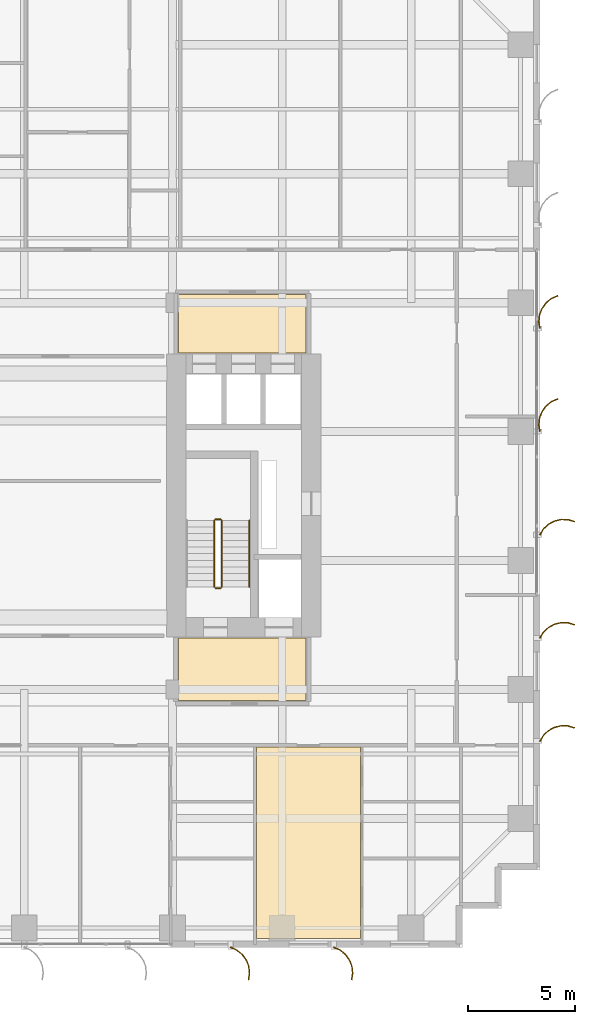
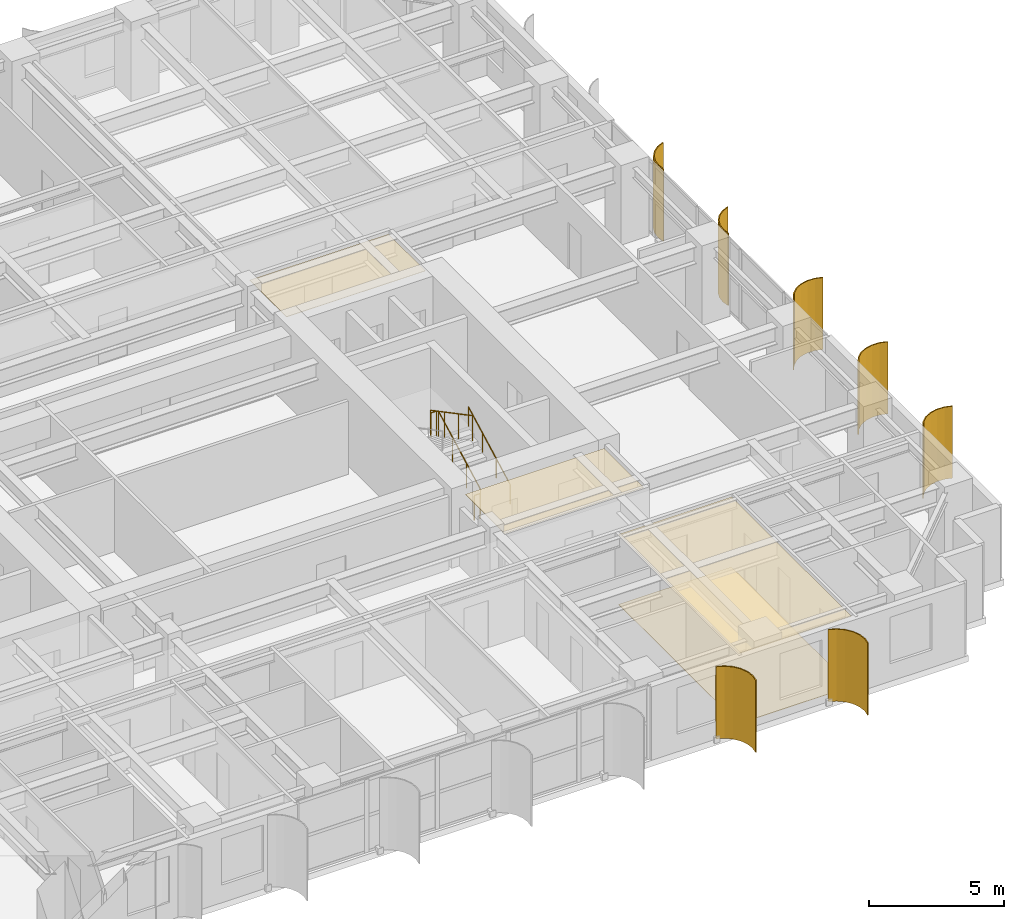
# One storey, part 22 of 23: 7 shading devices, 5 railings, 4 coverings.
"""IFC4 building model written with IfcOpenShell, lengths in metres."""

from ifc_helpers import new_model, si_unit, direction, frame, origin, origin_2d, place, context, subcontext, project, spatial, polyline, circle, outline, extrude, source, transform, mapped, material, layer, layer_set, type_object, element, save


model = new_model("IFC4")

# Units and contexts
model_context = context("Model", 3, precision=1e-05, world=origin(), true_north=direction((0.0, 1.0)))
body_context = subcontext(model_context, "Body", "Model", "MODEL_VIEW")
ifc_project = project(units=[si_unit("LENGTHUNIT", "METRE"), si_unit("AREAUNIT", "SQUARE_METRE"), si_unit("VOLUMEUNIT", "CUBIC_METRE"), si_unit("PLANEANGLEUNIT", "RADIAN"), si_unit("MASSUNIT", "GRAM", prefix="KILO")], contexts=[model_context])

# Site, building, storey
site_placement = place(None, origin())
site = spatial("IfcSite", under=ifc_project, at=site_placement, CompositionType="ELEMENT")
building_placement = place(site_placement, origin())
building = spatial("IfcBuilding", under=site, at=building_placement, Name="Khoralis Quay Care Tower", CompositionType="ELEMENT")
storey_placement = place(building_placement, frame((0.0, 0.0, 33.300048828125)))
storey = spatial("IfcBuildingStorey", under=building, at=storey_placement, Name="L08", CompositionType="ELEMENT", Elevation=33.300048828125)

# Coverings
ifc_material_1 = material(Name="Mineral-fibre acoustic ceiling tile")
ifc_layer_1 = layer(ifc_material_1, 0.01806640625)
ifc_layer_set_1 = layer_set([ifc_layer_1], Name="Mineral-fibre acoustic ceiling tile")
covering_type_1 = type_object("IfcCoveringType", Name="COV-CEIL-AC18", PredefinedType="CEILING", material=ifc_layer_set_1)
covering_1_placement = place(storey_placement, frame((0.0, 0.0, 3.171875)))
element("IfcCovering", 1, at=covering_1_placement, inside=storey, type_object=covering_type_1, Name="Suspended Acoustic Ceiling SP-L08-FFLOB-E", PredefinedType="CEILING", context=body_context, shape_type="SweptSolid", body=[
    extrude(outline(polyline([(31.179931640625, 11.47998046875), (37.1201171875, 11.47998046875), (37.1201171875, 14.39990234375), (31.179931640625, 14.39990234375), (31.179931640625, 11.47998046875)])), origin(), (0.0, 0.0, 1.0), 0.01806640625),
])
covering_2_placement = place(storey_placement, frame((0.0, 0.0, 3.171875)))
element("IfcCovering", 2, at=covering_2_placement, inside=storey, type_object=covering_type_1, Name="Suspended Acoustic Ceiling SP-L08-LLOB-E", PredefinedType="CEILING", context=body_context, shape_type="SweptSolid", body=[
    extrude(outline(polyline([(31.179931640625, 27.64990234375), (37.1201171875, 27.64990234375), (37.1201171875, 30.389892578125), (31.179931640625, 30.389892578125), (31.179931640625, 27.64990234375)])), origin(), (0.0, 0.0, 1.0), 0.01806640625),
])
covering_3_placement = place(storey_placement, frame((0.0, 0.0, 3.171875)))
element("IfcCovering", 3, at=covering_3_placement, inside=storey, type_object=covering_type_1, Name="Suspended Acoustic Ceiling SP-L08-SB-LIV4", PredefinedType="CEILING", context=body_context, shape_type="SweptSolid", body=[
    extrude(outline(polyline([(34.81005859375, 0.419921875), (39.636962890625, 0.419921875), (39.636962890625, 9.320068359375), (34.81005859375, 9.320068359375), (34.81005859375, 0.419921875)])), origin(), (0.0, 0.0, 1.0), 0.01806640625),
])
ifc_material_2 = material(Name="Porcelain and non-slip vinyl flooring")
ifc_layer_2 = layer(ifc_material_2, 0.02001953125)
ifc_layer_set_2 = layer_set([ifc_layer_2], Name="Porcelain and non-slip vinyl flooring")
covering_type_2 = type_object("IfcCoveringType", Name="COV-FLOOR-20", PredefinedType="FLOORING", material=ifc_layer_set_2)
covering_4_placement = place(storey_placement, origin())
element("IfcCovering", 4, at=covering_4_placement, inside=storey, type_object=covering_type_2, Name="Resilient Healthcare Flooring SP-L08-SB-LIV4", PredefinedType="FLOORING", context=body_context, shape_type="SweptSolid", body=[
    extrude(outline(polyline([(34.81005859375, 0.419921875), (39.636962890625, 0.419921875), (39.636962890625, 9.320068359375), (34.81005859375, 9.320068359375), (34.81005859375, 0.419921875)])), origin(), (0.0, 0.0, 1.0), 0.02001953125),
])

# Railings
ifc_material_3 = material(Name="Brushed stainless steel", Category="steel")
railing_type_1 = type_object("IfcRailingType", Name="RL-GUARD-1150", PredefinedType="GUARDRAIL", material=ifc_material_3)
railing_1_placement = place(storey_placement, frame((33.18994140625, 16.77001953125, 0.16357421875)))
element("IfcRailing", 5, at=railing_1_placement, inside=storey, type_object=railing_type_1, Name="L08 ST-T2 stair guard 1", PredefinedType="GUARDRAIL", context=body_context, shape_type="SweptSolid", body=[
    extrude(circle(Radius=0.02392578125, at=origin_2d()), frame((0.0, 0.0, 1.1259765625), z_axis=(0.0, 0.884348015382, 0.466828220752), x_axis=(-1.0, 0.0, 0.0)), (0.0, 0.0, 1.0), 3.505615234375),
    extrude(circle(Radius=0.02099609375, at=origin_2d()), origin(), (0.0, 0.0, 1.0), 1.101806640625),
    extrude(circle(Radius=0.02099609375, at=origin_2d()), frame((0.0, 1.033447265625, 0.54541015625)), (0.0, 0.0, 1.0), 1.101806640625),
    extrude(circle(Radius=0.02099609375, at=origin_2d()), frame((0.0, 2.066650390625, 1.091064453125)), (0.0, 0.0, 1.0), 1.101806640625),
    extrude(circle(Radius=0.02099609375, at=origin_2d()), frame((0.0, 3.10009765625, 1.636474609375)), (0.0, 0.0, 1.0), 1.101806640625),
])
railing_2_placement = place(storey_placement, frame((33.139892578125, 19.919921875, 1.800048828125)))
element("IfcRailing", 6, at=railing_2_placement, inside=storey, type_object=railing_type_1, Name="L08 ST-T2 stair guard 2", PredefinedType="GUARDRAIL", context=body_context, shape_type="SweptSolid", body=[
    extrude(circle(Radius=0.02392578125, at=origin_2d()), frame((0.0, 0.0, 1.1259765625), z_axis=(-1.0, 0.0, 0.0), x_axis=(0.0, -1.0, 0.0)), (0.0, 0.0, 1.0), 0.239990234375),
    extrude(circle(Radius=0.02099609375, at=origin_2d()), origin(), (0.0, 0.0, 1.0), 1.101806640625),
    extrude(circle(Radius=0.02099609375, at=origin_2d()), frame((-0.239990234375, 0.0, 0.0)), (0.0, 0.0, 1.0), 1.101806640625),
])
railing_3_placement = place(storey_placement, frame((32.85009765625, 19.8701171875, 1.963623046875)))
element("IfcRailing", 7, at=railing_3_placement, inside=storey, type_object=railing_type_1, Name="L08 ST-T2 stair guard 3", PredefinedType="GUARDRAIL", context=body_context, shape_type="SweptSolid", body=[
    extrude(circle(Radius=0.02392578125, at=origin_2d()), frame((0.0, 0.0, 1.1259765625), z_axis=(0.0, -0.884376766648, 0.46677375099), x_axis=(1.0, 0.0, 0.0)), (0.0, 0.0, 1.0), 3.50537109375),
    extrude(circle(Radius=0.02099609375, at=origin_2d()), origin(), (0.0, 0.0, 1.0), 1.101806640625),
    extrude(circle(Radius=0.02099609375, at=origin_2d()), frame((0.0, -1.033447265625, 0.54541015625)), (0.0, 0.0, 1.0), 1.101806640625),
    extrude(circle(Radius=0.02099609375, at=origin_2d()), frame((0.0, -2.066650390625, 1.0908203125)), (0.0, 0.0, 1.0), 1.101806640625),
    extrude(circle(Radius=0.02099609375, at=origin_2d()), frame((0.0, -3.10009765625, 1.63623046875)), (0.0, 0.0, 1.0), 1.101806640625),
])
railing_4_placement = place(storey_placement, frame((33.139892578125, 16.719970703125, 0.0)))
element("IfcRailing", 8, at=railing_4_placement, inside=storey, type_object=railing_type_1, Name="L08 ST-T2 stair guard 4", PredefinedType="GUARDRAIL", context=body_context, shape_type="SweptSolid", body=[
    extrude(circle(Radius=0.02392578125, at=origin_2d()), frame((0.0, 0.0, 1.1259765625), z_axis=(-1.0, 0.0, 0.0), x_axis=(0.0, -1.0, 0.0)), (0.0, 0.0, 1.0), 0.239990234375),
    extrude(circle(Radius=0.02099609375, at=origin_2d()), origin(), (0.0, 0.0, 1.0), 1.101806640625),
    extrude(circle(Radius=0.02099609375, at=origin_2d()), frame((-0.239990234375, 0.0, 0.0)), (0.0, 0.0, 1.0), 1.101806640625),
])
railing_type_2 = type_object("IfcRailingType", Name="RL-HAND-900", PredefinedType="HANDRAIL", material=ifc_material_3)
railing_5_placement = place(storey_placement, frame((34.469970703125, 16.77001953125, 0.16357421875)))
element("IfcRailing", 9, at=railing_5_placement, inside=storey, type_object=railing_type_2, Name="L08 ST-T2 stair handrail 1", PredefinedType="HANDRAIL", context=body_context, shape_type="SweptSolid", body=[
    extrude(circle(Radius=0.02392578125, at=origin_2d()), frame((0.0, 0.0, 0.8759765625), z_axis=(0.0, 0.884348015382, 0.466828220752), x_axis=(-1.0, 0.0, 0.0)), (0.0, 0.0, 1.0), 3.505615234375),
    extrude(circle(Radius=0.02099609375, at=origin_2d()), origin(), (0.0, 0.0, 1.0), 0.851806640625),
    extrude(circle(Radius=0.02099609375, at=origin_2d()), frame((0.0, 1.033447265625, 0.54541015625)), (0.0, 0.0, 1.0), 0.851806640625),
    extrude(circle(Radius=0.02099609375, at=origin_2d()), frame((0.0, 2.066650390625, 1.091064453125)), (0.0, 0.0, 1.0), 0.851806640625),
    extrude(circle(Radius=0.02099609375, at=origin_2d()), frame((0.0, 3.10009765625, 1.636474609375)), (0.0, 0.0, 1.0), 0.851806640625),
])

# Shading devices
ifc_material_4 = material(Name="Brushed pale anodised aluminium", Category="aluminium")
ifc_layer_3 = layer(ifc_material_4, 0.044921875)
ifc_layer_set_3 = layer_set([ifc_layer_3], Name="Brushed pale anodised aluminium")
shading_device_type = type_object("IfcShadingDeviceType", Name="SHD-FIN-1250", PredefinedType="USERDEFINED", material=ifc_layer_set_3)
shared_shape_1 = source(origin(), body_context, "Body", "SweptSolid", [
    extrude(outline(polyline([(0.0, 0.0), (0.130126953125, 0.29931640625), (0.333251953125, 0.5546875), (0.595458984375, 0.748779296875), (0.899169921875, 0.868408203125), (1.223388671875, 0.9052734375), (1.546142578125, 0.85693359375), (1.53369140625, 0.813720703125), (1.22265625, 0.8603515625), (0.91015625, 0.82470703125), (0.617431640625, 0.70947265625), (0.364501953125, 0.522216796875), (0.168701171875, 0.276123046875), (0.043212890625, -0.012451171875), (0.0, 0.0)])), origin(), (0.0, 0.0, 1.0), 3.260009765625),
])
for number, where, z_axis, x_axis, name in (
    (10, (33.60009765625, 0.030029296875, 0.02001953125), (0.0, 0.0, 1.0), (0.0, -1.0, 0.0), "L08 Curved Solar Fin P1E0-06"),
    (11, (38.39990234375, 0.030029296875, 0.02001953125), (0.0, 0.0, 1.0), (0.0, -1.0, 0.0), "L08 Curved Solar Fin P1E0-07"),
):
    element("IfcShadingDevice", number, at=place(storey_placement, frame(where, z_axis=z_axis, x_axis=x_axis)), inside=storey, type_object=shading_device_type, Name=name, ObjectType="FIN", PredefinedType="USERDEFINED", context=body_context, shape_type="MappedRepresentation", body=[
        mapped(shared_shape_1, transform((0.0, 0.0, 0.0), scale=1.0)),
    ])
shared_shape_2 = source(origin(), body_context, "Body", "SweptSolid", [
    extrude(outline(polyline([(0.0, 0.0), (0.17041015625, 0.2783203125), (0.4072265625, 0.5029296875), (0.694091796875, 0.658447265625), (1.01123046875, 0.734619140625), (1.33740234375, 0.72607421875), (1.650390625, 0.633544921875), (1.632080078125, 0.59228515625), (1.330322265625, 0.681640625), (1.015869140625, 0.68994140625), (0.710205078125, 0.616455078125), (0.43359375, 0.466552734375), (0.20556640625, 0.25), (0.041015625, -0.018310546875), (0.0, 0.0)])), origin(), (0.0, 0.0, 1.0), 3.260009765625),
])
for number, where, z_axis, x_axis, name in (
    (12, (47.969970703125, 9.60009765625, 0.02001953125), (0.0, 0.0, 1.0), (1.0, 0.0, 0.0), "L08 Curved Solar Fin P1E5-01"),
    (13, (47.969970703125, 14.39990234375, 0.02001953125), (0.0, 0.0, 1.0), (1.0, 0.0, 0.0), "L08 Curved Solar Fin P1E5-02"),
    (14, (47.969970703125, 19.199951171875, 0.02001953125), (0.0, 0.0, 1.0), (1.0, 0.0, 0.0), "L08 Curved Solar Fin P1E5-03"),
):
    element("IfcShadingDevice", number, at=place(storey_placement, frame(where, z_axis=z_axis, x_axis=x_axis)), inside=storey, type_object=shading_device_type, Name=name, ObjectType="FIN", PredefinedType="USERDEFINED", context=body_context, shape_type="MappedRepresentation", body=[
        mapped(shared_shape_2, transform((0.0, 0.0, 0.0), scale=1.0)),
    ])
shared_shape_3 = source(origin(), body_context, "Body", "SweptSolid", [
    extrude(outline(polyline([(0.0, 0.0), (-0.04833984375, 0.32275390625), (-0.01123046875, 0.64697265625), (0.1083984375, 0.950439453125), (0.302490234375, 1.212890625), (0.557861328125, 1.416015625), (0.85693359375, 1.546142578125), (0.869384765625, 1.5029296875), (0.5810546875, 1.37744140625), (0.334716796875, 1.181640625), (0.147705078125, 0.9287109375), (0.032470703125, 0.635986328125), (-0.003173828125, 0.323486328125), (0.043212890625, 0.012451171875), (0.0, 0.0)])), origin(), (0.0, 0.0, 1.0), 3.260009765625),
])
for number, where, z_axis, x_axis, name in (
    (15, (47.969970703125, 24.0, 0.02001953125), (0.0, 0.0, 1.0), (1.0, 0.0, 0.0), "L08 Curved Solar Fin P1E5-04"),
    (16, (47.969970703125, 28.800048828125, 0.02001953125), (0.0, 0.0, 1.0), (1.0, 0.0, 0.0), "L08 Curved Solar Fin P1E5-05"),
):
    element("IfcShadingDevice", number, at=place(storey_placement, frame(where, z_axis=z_axis, x_axis=x_axis)), inside=storey, type_object=shading_device_type, Name=name, ObjectType="FIN", PredefinedType="USERDEFINED", context=body_context, shape_type="MappedRepresentation", body=[
        mapped(shared_shape_3, transform((0.0, 0.0, 0.0), scale=1.0)),
    ])

save(model, "model.ifc")
